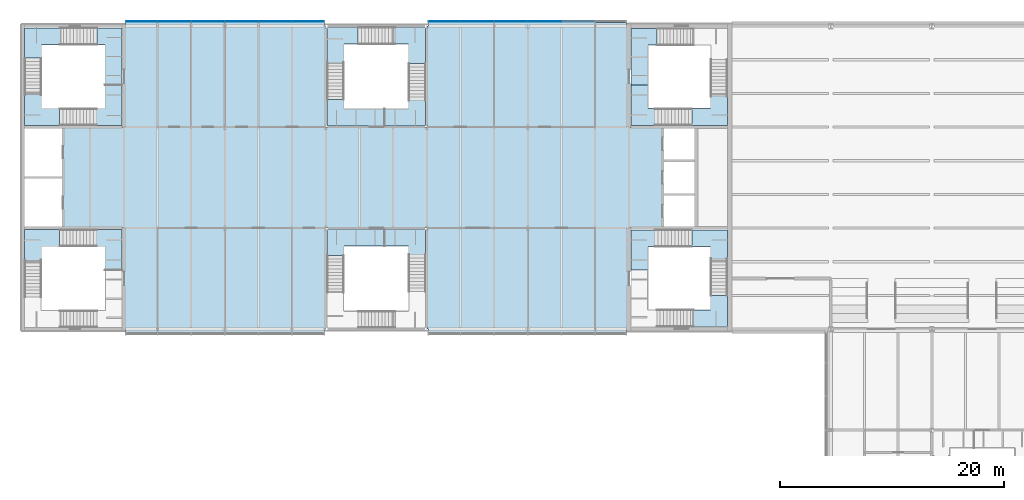
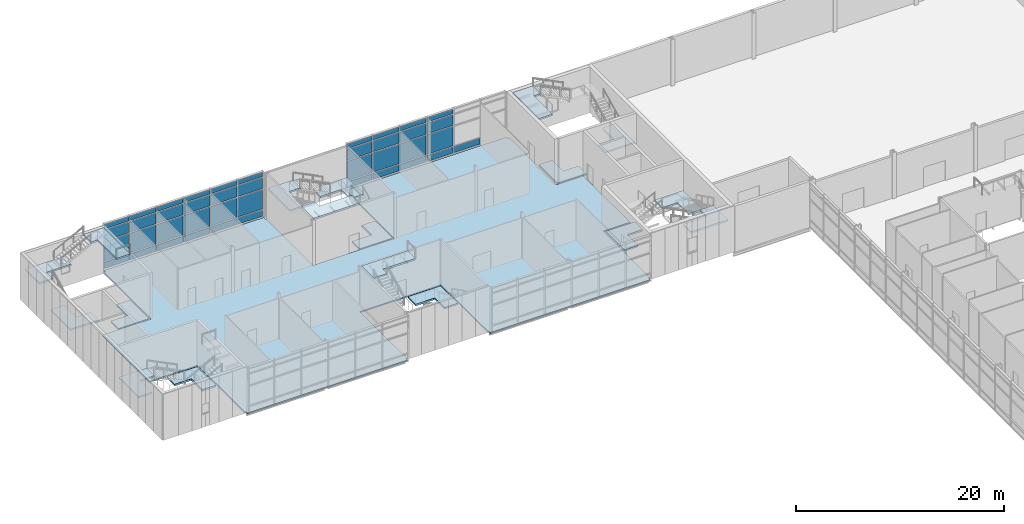
# One storey, part 28 of 52: 41 plates, 19 slabs, 8 elements without a shape of their own.
"""IFC4 building model written with IfcOpenShell, lengths in metres."""

from ifc_helpers import new_model, si_unit, direction, frame, origin, origin_2d, place, context, subcontext, project, spatial, polyline, rectangle, outline, extrude, material, layer, layer_set, type_object, element, aggregate, save


model = new_model("IFC4")

# Units and contexts
model_context = context("Model", 3, precision=1e-05, world=origin(), true_north=direction((0.0, 1.0)))
body_context = subcontext(model_context, "Body", "Model", "MODEL_VIEW")
ifc_project = project(units=[si_unit("LENGTHUNIT", "METRE"), si_unit("AREAUNIT", "SQUARE_METRE"), si_unit("VOLUMEUNIT", "CUBIC_METRE"), si_unit("PLANEANGLEUNIT", "RADIAN"), si_unit("MASSUNIT", "GRAM", prefix="KILO")], contexts=[model_context])

# Site, building, storey
site_placement = place(None, origin())
site = spatial("IfcSite", under=ifc_project, at=site_placement, CompositionType="ELEMENT")
building_placement = place(site_placement, origin())
building = spatial("IfcBuilding", under=site, at=building_placement, Name="Azimuth Sports and Learning Centre", CompositionType="ELEMENT")
storey_placement = place(building_placement, frame((0.0, 0.0, 16.199951171875)))
storey = spatial("IfcBuildingStorey", under=building, at=storey_placement, Name="L03", CompositionType="ELEMENT", Elevation=16.199951171875)

# Slab
ifc_material_1 = material(Name="Concrete C30/37", Category="concrete")
ifc_layer_1 = layer(ifc_material_1, 0.14990234375)
ifc_layer_set_1 = layer_set([ifc_layer_1], Name="Concrete C30/37")
slab_type_1 = type_object("IfcSlabType", Name="Composite floor slab 150", PredefinedType="FLOOR", material=ifc_layer_set_1)
slab_1_placement = place(storey_placement, frame((0.0, 0.0, -0.14990234375)))
element("IfcSlab", 1, at=slab_1_placement, inside=storey, type_object=slab_type_1, Name="Slab West wing L03", PredefinedType="FLOOR", context=body_context, shape_type="SweptSolid", body=[
    extrude(outline(polyline([(9.14990234375, 89.699951171875), (26.89990234375, 89.699951171875), (26.89990234375, 90.0), (27.0, 90.0), (27.0, 99.0), (36.0, 99.0), (36.0, 90.0), (36.10009765625, 90.0), (36.10009765625, 89.699951171875), (53.800048828125, 89.699951171875), (53.800048828125, 90.0), (54.0, 90.0), (54.0, 99.0), (57.0, 99.0), (57.0, 108.0), (54.0, 108.0), (54.0, 117.0), (53.800048828125, 117.0), (53.800048828125, 117.300048828125), (36.10009765625, 117.300048828125), (36.10009765625, 117.0), (36.0, 117.0), (36.0, 108.0), (27.0, 108.0), (27.0, 117.0), (26.89990234375, 117.0), (26.89990234375, 117.300048828125), (9.14990234375, 117.300048828125), (9.14990234375, 117.0), (9.0, 117.0), (9.0, 108.0), (3.60009765625, 108.0), (3.60009765625, 99.0), (9.0, 99.0), (9.0, 90.0), (9.14990234375, 90.0), (9.14990234375, 89.699951171875)])), origin(), (0.0, 0.0, 1.0), 0.14990234375),
])

# Stair, slabs
ifc_material_2 = material(Name="Concrete C32/40", Category="concrete")
stair_type_1 = type_object("IfcStairType", Name="Square-well stair core 5400 storey", PredefinedType="THREE_QUARTER_TURN_STAIR", material=ifc_material_2)
stair_1_placement = place(storey_placement, origin())
stair_1 = element("IfcStair", 2, at=stair_1_placement, inside=storey, type_object=stair_type_1, Name="Stair W1 L03-L04", PredefinedType="THREE_QUARTER_TURN_STAIR")
ifc_material_3 = material(Name="Concrete C32/40", Category="concrete")
ifc_layer_2 = layer(ifc_material_3, 0.199951171875)
ifc_layer_set_2 = layer_set([ifc_layer_2], Name="Concrete C32/40")
slab_type_2 = type_object("IfcSlabType", Name="Concrete stair landing", PredefinedType="LANDING", material=ifc_layer_set_2)
slab_2_placement = place(storey_placement, frame((0.0, 0.0, -0.199951171875)))
slab_2 = element("IfcSlab", 3, at=slab_2_placement, type_object=slab_type_2, Name="Stair W1 L03 landing 1", PredefinedType="LANDING", context=body_context, shape_type="SweptSolid", body=[
    extrude(outline(polyline([(54.2099609375, 98.840087890625), (54.2099609375, 95.25), (55.7099609375, 95.25), (55.7099609375, 97.340087890625), (57.409912109375, 97.340087890625), (57.409912109375, 98.840087890625), (54.2099609375, 98.840087890625)])), origin(), (0.0, 0.0, 1.0), 0.199951171875),
])
slab_3_placement = place(storey_placement, frame((0.0, 0.0, 1.60009765625)))
slab_3 = element("IfcSlab", 4, at=slab_3_placement, type_object=slab_type_2, Name="Stair W1 L03 landing 2", PredefinedType="LANDING", context=body_context, shape_type="SweptSolid", body=[
    extrude(outline(polyline([(61.2900390625, 97.340087890625), (61.2900390625, 95.18994140625), (62.7900390625, 95.18994140625), (62.7900390625, 98.840087890625), (59.609375, 98.840087890625), (59.609375, 97.340087890625), (61.2900390625, 97.340087890625)])), origin(), (0.0, 0.0, 1.0), 0.199951171875),
])
slab_4_placement = place(storey_placement, frame((0.0, 0.0, 3.400146484375)))
slab_4 = element("IfcSlab", 5, at=slab_4_placement, type_object=slab_type_2, Name="Stair W1 L03 landing 3", PredefinedType="LANDING", context=body_context, shape_type="SweptSolid", body=[
    extrude(outline(polyline([(61.2900390625, 91.7099609375), (58.68994140625, 91.7099609375), (58.68994140625, 90.2099609375), (62.7900390625, 90.2099609375), (62.7900390625, 92.99072265625), (61.2900390625, 92.99072265625), (61.2900390625, 91.7099609375)])), origin(), (0.0, 0.0, 1.0), 0.199951171875),
])
aggregate(stair_1, [slab_2, slab_3, slab_4])

stair_2_placement = place(storey_placement, origin())
stair_2 = element("IfcStair", 6, at=stair_2_placement, inside=storey, type_object=stair_type_1, Name="Stair W2 L03-L04", PredefinedType="THREE_QUARTER_TURN_STAIR")
slab_5_placement = place(storey_placement, frame((0.0, 0.0, -0.199951171875)))
slab_5 = element("IfcSlab", 7, at=slab_5_placement, type_object=slab_type_2, Name="Stair W2 L03 landing 1", PredefinedType="LANDING", context=body_context, shape_type="SweptSolid", body=[
    extrude(outline(polyline([(57.409912109375, 109.659912109375), (55.7099609375, 109.659912109375), (55.7099609375, 111.75), (54.2099609375, 111.75), (54.2099609375, 108.159912109375), (57.409912109375, 108.159912109375), (57.409912109375, 109.659912109375)])), origin(), (0.0, 0.0, 1.0), 0.199951171875),
])
slab_6_placement = place(storey_placement, frame((0.0, 0.0, 1.60009765625)))
slab_6 = element("IfcSlab", 8, at=slab_6_placement, type_object=slab_type_2, Name="Stair W2 L03 landing 2", PredefinedType="LANDING", context=body_context, shape_type="SweptSolid", body=[
    extrude(outline(polyline([(61.2900390625, 109.659912109375), (59.609375, 109.659912109375), (59.609375, 108.159912109375), (62.7900390625, 108.159912109375), (62.7900390625, 111.81005859375), (61.2900390625, 111.81005859375), (61.2900390625, 109.659912109375)])), origin(), (0.0, 0.0, 1.0), 0.199951171875),
])
slab_7_placement = place(storey_placement, frame((0.0, 0.0, 5.199951171875)))
slab_7 = element("IfcSlab", 9, at=slab_7_placement, type_object=slab_type_2, Name="Stair W2 L03 landing 4", PredefinedType="LANDING", context=body_context, shape_type="SweptSolid", body=[
    extrude(outline(polyline([(55.7099609375, 115.2900390625), (56.49072265625, 115.2900390625), (56.49072265625, 116.7900390625), (54.2099609375, 116.7900390625), (54.2099609375, 111.75), (55.7099609375, 111.75), (55.7099609375, 115.2900390625)])), origin(), (0.0, 0.0, 1.0), 0.2001953125),
])
aggregate(stair_2, [slab_5, slab_6, slab_7])

ifc_material_4 = material(Name="Concrete C32/40", Category="concrete")
stair_type_2 = type_object("IfcStairType", Name="Square-well stair end core 5400 storey", PredefinedType="THREE_QUARTER_TURN_STAIR", material=ifc_material_4)
stair_3_placement = place(storey_placement, origin())
stair_3 = element("IfcStair", 10, at=stair_3_placement, inside=storey, type_object=stair_type_2, Name="Stair WW1 L03-L04", PredefinedType="THREE_QUARTER_TURN_STAIR")
slab_8_placement = place(storey_placement, frame((0.0, 0.0, -0.199951171875)))
slab_8 = element("IfcSlab", 11, at=slab_8_placement, type_object=slab_type_2, Name="Stair WW1 L03 landing 1", PredefinedType="LANDING", context=body_context, shape_type="SweptSolid", body=[
    extrude(outline(polyline([(5.489990234375, 97.364990234375), (7.340087890625, 97.364990234375), (7.340087890625, 95.25), (8.840087890625, 95.25), (8.840087890625, 98.864990234375), (5.489990234375, 98.864990234375), (5.489990234375, 97.364990234375)])), origin(), (0.0, 0.0, 1.0), 0.199951171875),
])
slab_9_placement = place(storey_placement, frame((0.0, 0.0, 1.60009765625)))
slab_9 = element("IfcSlab", 12, at=slab_9_placement, type_object=slab_type_2, Name="Stair WW1 L03 landing 2", PredefinedType="LANDING", context=body_context, shape_type="SweptSolid", body=[
    extrude(outline(polyline([(1.659912109375, 97.364990234375), (3.290771484375, 97.364990234375), (3.290771484375, 98.864990234375), (0.159912109375, 98.864990234375), (0.159912109375, 95.06494140625), (1.659912109375, 95.06494140625), (1.659912109375, 97.364990234375)])), origin(), (0.0, 0.0, 1.0), 0.199951171875),
])
aggregate(stair_3, [slab_8, slab_9])

stair_4_placement = place(storey_placement, origin())
stair_4 = element("IfcStair", 13, at=stair_4_placement, inside=storey, type_object=stair_type_2, Name="Stair WW2 L03-L04", PredefinedType="THREE_QUARTER_TURN_STAIR")
slab_10_placement = place(storey_placement, frame((0.0, 0.0, -0.199951171875)))
slab_10 = element("IfcSlab", 14, at=slab_10_placement, type_object=slab_type_2, Name="Stair WW2 L03 landing 1", PredefinedType="LANDING", context=body_context, shape_type="SweptSolid", body=[
    extrude(outline(polyline([(8.840087890625, 108.135009765625), (8.840087890625, 111.75), (7.340087890625, 111.75), (7.340087890625, 109.635009765625), (5.489990234375, 109.635009765625), (5.489990234375, 108.135009765625), (8.840087890625, 108.135009765625)])), origin(), (0.0, 0.0, 1.0), 0.199951171875),
])
slab_11_placement = place(storey_placement, frame((0.0, 0.0, 1.60009765625)))
slab_11 = element("IfcSlab", 15, at=slab_11_placement, type_object=slab_type_2, Name="Stair WW2 L03 landing 2", PredefinedType="LANDING", context=body_context, shape_type="SweptSolid", body=[
    extrude(outline(polyline([(1.659912109375, 109.635009765625), (1.659912109375, 111.93505859375), (0.159912109375, 111.93505859375), (0.159912109375, 108.135009765625), (3.290771484375, 108.135009765625), (3.290771484375, 109.635009765625), (1.659912109375, 109.635009765625)])), origin(), (0.0, 0.0, 1.0), 0.199951171875),
])
slab_12_placement = place(storey_placement, frame((0.0, 0.0, 3.400146484375)))
slab_12 = element("IfcSlab", 16, at=slab_12_placement, type_object=slab_type_2, Name="Stair WW2 L03 landing 3", PredefinedType="LANDING", context=body_context, shape_type="SweptSolid", body=[
    extrude(outline(polyline([(1.659912109375, 115.340087890625), (4.409912109375, 115.340087890625), (4.409912109375, 116.840087890625), (0.159912109375, 116.840087890625), (0.159912109375, 114.13427734375), (1.659912109375, 114.13427734375), (1.659912109375, 115.340087890625)])), origin(), (0.0, 0.0, 1.0), 0.199951171875),
])
slab_13_placement = place(storey_placement, frame((0.0, 0.0, 5.199951171875)))
slab_13 = element("IfcSlab", 17, at=slab_13_placement, type_object=slab_type_2, Name="Stair WW2 L03 landing 4", PredefinedType="LANDING", context=body_context, shape_type="SweptSolid", body=[
    extrude(outline(polyline([(7.340087890625, 115.340087890625), (7.340087890625, 111.75), (8.840087890625, 111.75), (8.840087890625, 116.840087890625), (6.609375, 116.840087890625), (6.609375, 115.340087890625), (7.340087890625, 115.340087890625)])), origin(), (0.0, 0.0, 1.0), 0.2001953125),
])
aggregate(stair_4, [slab_10, slab_11, slab_12, slab_13])

ifc_material_5 = material(Name="Concrete C32/40", Category="concrete")
stair_type_3 = type_object("IfcStairType", Name="Square-well stair mid-wing cell 5400 storey", PredefinedType="THREE_QUARTER_TURN_STAIR", material=ifc_material_5)
stair_5_placement = place(storey_placement, origin())
stair_5 = element("IfcStair", 18, at=stair_5_placement, inside=storey, type_object=stair_type_3, Name="Stair WM1 L03-L04", PredefinedType="THREE_QUARTER_TURN_STAIR")
slab_14_placement = place(storey_placement, frame((0.0, 0.0, -0.199951171875)))
slab_14 = element("IfcSlab", 19, at=slab_14_placement, type_object=slab_type_2, Name="Stair WM1 L03 landing 1", PredefinedType="LANDING", context=body_context, shape_type="SweptSolid", body=[
    extrude(outline(polyline([(35.889892578125, 98.889892578125), (32.25, 98.889892578125), (32.25, 97.389892578125), (34.389892578125, 97.389892578125), (34.389892578125, 95.5400390625), (35.889892578125, 95.5400390625), (35.889892578125, 98.889892578125)])), origin(), (0.0, 0.0, 1.0), 0.199951171875),
])
slab_15_placement = place(storey_placement, frame((0.0, 0.0, 5.199951171875)))
slab_15 = element("IfcSlab", 20, at=slab_15_placement, type_object=slab_type_2, Name="Stair WM1 L03 landing 4", PredefinedType="LANDING", context=body_context, shape_type="SweptSolid", body=[
    extrude(outline(polyline([(28.610107421875, 97.389892578125), (32.25, 97.389892578125), (32.25, 98.889892578125), (27.110107421875, 98.889892578125), (27.110107421875, 96.559326171875), (28.610107421875, 96.559326171875), (28.610107421875, 97.389892578125)])), origin(), (0.0, 0.0, 1.0), 0.2001953125),
])
aggregate(stair_5, [slab_14, slab_15])

stair_6_placement = place(storey_placement, origin())
stair_6 = element("IfcStair", 21, at=stair_6_placement, inside=storey, type_object=stair_type_3, Name="Stair WM2 L03-L04", PredefinedType="THREE_QUARTER_TURN_STAIR")
slab_16_placement = place(storey_placement, frame((0.0, 0.0, -0.199951171875)))
slab_16 = element("IfcSlab", 22, at=slab_16_placement, type_object=slab_type_2, Name="Stair WM2 L03 landing 1", PredefinedType="LANDING", context=body_context, shape_type="SweptSolid", body=[
    extrude(outline(polyline([(34.389892578125, 111.4599609375), (34.389892578125, 109.610107421875), (32.25, 109.610107421875), (32.25, 108.110107421875), (35.889892578125, 108.110107421875), (35.889892578125, 111.4599609375), (34.389892578125, 111.4599609375)])), origin(), (0.0, 0.0, 1.0), 0.199951171875),
])
slab_17_placement = place(storey_placement, frame((0.0, 0.0, 1.60009765625)))
slab_17 = element("IfcSlab", 23, at=slab_17_placement, type_object=slab_type_2, Name="Stair WM2 L03 landing 2", PredefinedType="LANDING", context=body_context, shape_type="SweptSolid", body=[
    extrude(outline(polyline([(34.389892578125, 115.389892578125), (34.389892578125, 113.6591796875), (35.889892578125, 113.6591796875), (35.889892578125, 116.889892578125), (32.090087890625, 116.889892578125), (32.090087890625, 115.389892578125), (34.389892578125, 115.389892578125)])), origin(), (0.0, 0.0, 1.0), 0.199951171875),
])
slab_18_placement = place(storey_placement, frame((0.0, 0.0, 3.400146484375)))
slab_18 = element("IfcSlab", 24, at=slab_18_placement, type_object=slab_type_2, Name="Stair WM2 L03 landing 3", PredefinedType="LANDING", context=body_context, shape_type="SweptSolid", body=[
    extrude(outline(polyline([(28.610107421875, 115.389892578125), (29.890625, 115.389892578125), (29.890625, 116.889892578125), (27.110107421875, 116.889892578125), (27.110107421875, 112.639892578125), (28.610107421875, 112.639892578125), (28.610107421875, 115.389892578125)])), origin(), (0.0, 0.0, 1.0), 0.199951171875),
])
slab_19_placement = place(storey_placement, frame((0.0, 0.0, 5.199951171875)))
slab_19 = element("IfcSlab", 25, at=slab_19_placement, type_object=slab_type_2, Name="Stair WM2 L03 landing 4", PredefinedType="LANDING", context=body_context, shape_type="SweptSolid", body=[
    extrude(outline(polyline([(28.610107421875, 109.610107421875), (28.610107421875, 110.440673828125), (27.110107421875, 110.440673828125), (27.110107421875, 108.110107421875), (32.25, 108.110107421875), (32.25, 109.610107421875), (28.610107421875, 109.610107421875)])), origin(), (0.0, 0.0, 1.0), 0.2001953125),
])
aggregate(stair_6, [slab_16, slab_17, slab_18, slab_19])

# Curtain wall, plates
ifc_material_6 = material(Name="Aluminium and glass", Category="aluminium")
curtain_wall_type = type_object("IfcCurtainWallType", Name="Curtain wall podium wing 240", PredefinedType="NOTDEFINED", material=ifc_material_6)
curtain_wall_1_placement = place(storey_placement, origin())
curtain_wall_1 = element("IfcCurtainWall", 26, at=curtain_wall_1_placement, inside=storey, type_object=curtain_wall_type, Name="Curtain wall CW03-013", PredefinedType="NOTDEFINED")
ifc_material_7 = material(Name="Insulated aluminium panel", Category="aluminium")
ifc_layer_3 = layer(ifc_material_7, 0.06005859375)
ifc_layer_set_3 = layer_set([ifc_layer_3], Name="Insulated aluminium panel")
plate_type_1 = type_object("IfcPlateType", Name="Spandrel panel 60 mm", PredefinedType="CURTAIN_PANEL", material=ifc_layer_set_3)
plate_1_placement = place(storey_placement, frame((49.5, 117.419921875, 0.1201171875), z_axis=(0.0, 0.0, 1.0), x_axis=(-1.0, 0.0, 0.0)))
plate_1 = element("IfcPlate", 27, at=plate_1_placement, type_object=plate_type_1, Name="CW03-013 panel 2.1", PredefinedType="CURTAIN_PANEL", context=body_context, shape_type="SweptSolid", body=[
    extrude(rectangle(XDim=2.919921875, YDim=0.06005859375, at=origin_2d()), origin(), (0.0, 0.0, 1.0), 0.719970703125),
])
plate_2_placement = place(storey_placement, frame((46.5, 117.419921875, 0.1201171875), z_axis=(0.0, 0.0, 1.0), x_axis=(-1.0, 0.0, 0.0)))
plate_2 = element("IfcPlate", 28, at=plate_2_placement, type_object=plate_type_1, Name="CW03-013 panel 3.1", PredefinedType="CURTAIN_PANEL", context=body_context, shape_type="SweptSolid", body=[
    extrude(rectangle(XDim=2.919921875, YDim=0.06005859375, at=origin_2d()), origin(), (0.0, 0.0, 1.0), 0.719970703125),
])
plate_3_placement = place(storey_placement, frame((46.5, 117.419921875, 4.760009765625), z_axis=(0.0, 0.0, 1.0), x_axis=(-1.0, 0.0, 0.0)))
plate_3 = element("IfcPlate", 29, at=plate_3_placement, type_object=plate_type_1, Name="CW03-013 panel 3.4", PredefinedType="CURTAIN_PANEL", context=body_context, shape_type="SweptSolid", body=[
    extrude(rectangle(XDim=2.919921875, YDim=0.06005859375, at=origin_2d()), origin(), (0.0, 0.0, 1.0), 0.52001953125),
])
plate_4_placement = place(storey_placement, frame((43.5, 117.419921875, 0.1201171875), z_axis=(0.0, 0.0, 1.0), x_axis=(-1.0, 0.0, 0.0)))
plate_4 = element("IfcPlate", 30, at=plate_4_placement, type_object=plate_type_1, Name="CW03-013 panel 4.1", PredefinedType="CURTAIN_PANEL", context=body_context, shape_type="SweptSolid", body=[
    extrude(rectangle(XDim=2.919921875, YDim=0.06005859375, at=origin_2d()), origin(), (0.0, 0.0, 1.0), 0.719970703125),
])
plate_5_placement = place(storey_placement, frame((43.5, 117.419921875, 4.760009765625), z_axis=(0.0, 0.0, 1.0), x_axis=(-1.0, 0.0, 0.0)))
plate_5 = element("IfcPlate", 31, at=plate_5_placement, type_object=plate_type_1, Name="CW03-013 panel 4.4", PredefinedType="CURTAIN_PANEL", context=body_context, shape_type="SweptSolid", body=[
    extrude(rectangle(XDim=2.919921875, YDim=0.06005859375, at=origin_2d()), origin(), (0.0, 0.0, 1.0), 0.52001953125),
])
plate_6_placement = place(storey_placement, frame((40.5, 117.419921875, 0.1201171875), z_axis=(0.0, 0.0, 1.0), x_axis=(-1.0, 0.0, 0.0)))
plate_6 = element("IfcPlate", 32, at=plate_6_placement, type_object=plate_type_1, Name="CW03-013 panel 5.1", PredefinedType="CURTAIN_PANEL", context=body_context, shape_type="SweptSolid", body=[
    extrude(rectangle(XDim=2.919921875, YDim=0.06005859375, at=origin_2d()), origin(), (0.0, 0.0, 1.0), 0.719970703125),
])
plate_7_placement = place(storey_placement, frame((40.5, 117.419921875, 4.760009765625), z_axis=(0.0, 0.0, 1.0), x_axis=(-1.0, 0.0, 0.0)))
plate_7 = element("IfcPlate", 33, at=plate_7_placement, type_object=plate_type_1, Name="CW03-013 panel 5.4", PredefinedType="CURTAIN_PANEL", context=body_context, shape_type="SweptSolid", body=[
    extrude(rectangle(XDim=2.919921875, YDim=0.06005859375, at=origin_2d()), origin(), (0.0, 0.0, 1.0), 0.52001953125),
])
plate_8_placement = place(storey_placement, frame((37.570068359375, 117.419921875, 0.1201171875), z_axis=(0.0, 0.0, 1.0), x_axis=(-1.0, 0.0, 0.0)))
plate_8 = element("IfcPlate", 34, at=plate_8_placement, type_object=plate_type_1, Name="CW03-013 panel 6.1", PredefinedType="CURTAIN_PANEL", context=body_context, shape_type="SweptSolid", body=[
    extrude(rectangle(XDim=2.780029296875, YDim=0.06005859375, at=origin_2d()), origin(), (0.0, 0.0, 1.0), 0.719970703125),
])
plate_9_placement = place(storey_placement, frame((37.570068359375, 117.419921875, 4.760009765625), z_axis=(0.0, 0.0, 1.0), x_axis=(-1.0, 0.0, 0.0)))
plate_9 = element("IfcPlate", 35, at=plate_9_placement, type_object=plate_type_1, Name="CW03-013 panel 6.4", PredefinedType="CURTAIN_PANEL", context=body_context, shape_type="SweptSolid", body=[
    extrude(rectangle(XDim=2.780029296875, YDim=0.06005859375, at=origin_2d()), origin(), (0.0, 0.0, 1.0), 0.52001953125),
])

curtain_wall_2_placement = place(storey_placement, origin())
curtain_wall_2 = element("IfcCurtainWall", 36, at=curtain_wall_2_placement, inside=storey, type_object=curtain_wall_type, Name="Curtain wall CW03-014", PredefinedType="NOTDEFINED")
plate_10_placement = place(storey_placement, frame((25.429931640625, 117.419921875, 0.1201171875), z_axis=(0.0, 0.0, 1.0), x_axis=(-1.0, 0.0, 0.0)))
plate_10 = element("IfcPlate", 37, at=plate_10_placement, type_object=plate_type_1, Name="CW03-014 panel 1.1", PredefinedType="CURTAIN_PANEL", context=body_context, shape_type="SweptSolid", body=[
    extrude(rectangle(XDim=2.780029296875, YDim=0.06005859375, at=origin_2d()), origin(), (0.0, 0.0, 1.0), 0.719970703125),
])
plate_11_placement = place(storey_placement, frame((25.429931640625, 117.419921875, 4.760009765625), z_axis=(0.0, 0.0, 1.0), x_axis=(-1.0, 0.0, 0.0)))
plate_11 = element("IfcPlate", 38, at=plate_11_placement, type_object=plate_type_1, Name="CW03-014 panel 1.4", PredefinedType="CURTAIN_PANEL", context=body_context, shape_type="SweptSolid", body=[
    extrude(rectangle(XDim=2.780029296875, YDim=0.06005859375, at=origin_2d()), origin(), (0.0, 0.0, 1.0), 0.52001953125),
])
plate_12_placement = place(storey_placement, frame((22.5, 117.419921875, 0.1201171875), z_axis=(0.0, 0.0, 1.0), x_axis=(-1.0, 0.0, 0.0)))
plate_12 = element("IfcPlate", 39, at=plate_12_placement, type_object=plate_type_1, Name="CW03-014 panel 2.1", PredefinedType="CURTAIN_PANEL", context=body_context, shape_type="SweptSolid", body=[
    extrude(rectangle(XDim=2.919921875, YDim=0.06005859375, at=origin_2d()), origin(), (0.0, 0.0, 1.0), 0.719970703125),
])
plate_13_placement = place(storey_placement, frame((22.5, 117.419921875, 4.760009765625), z_axis=(0.0, 0.0, 1.0), x_axis=(-1.0, 0.0, 0.0)))
plate_13 = element("IfcPlate", 40, at=plate_13_placement, type_object=plate_type_1, Name="CW03-014 panel 2.4", PredefinedType="CURTAIN_PANEL", context=body_context, shape_type="SweptSolid", body=[
    extrude(rectangle(XDim=2.919921875, YDim=0.06005859375, at=origin_2d()), origin(), (0.0, 0.0, 1.0), 0.52001953125),
])
plate_14_placement = place(storey_placement, frame((19.5, 117.419921875, 0.1201171875), z_axis=(0.0, 0.0, 1.0), x_axis=(-1.0, 0.0, 0.0)))
plate_14 = element("IfcPlate", 41, at=plate_14_placement, type_object=plate_type_1, Name="CW03-014 panel 3.1", PredefinedType="CURTAIN_PANEL", context=body_context, shape_type="SweptSolid", body=[
    extrude(rectangle(XDim=2.919921875, YDim=0.06005859375, at=origin_2d()), origin(), (0.0, 0.0, 1.0), 0.719970703125),
])
plate_15_placement = place(storey_placement, frame((19.5, 117.419921875, 4.760009765625), z_axis=(0.0, 0.0, 1.0), x_axis=(-1.0, 0.0, 0.0)))
plate_15 = element("IfcPlate", 42, at=plate_15_placement, type_object=plate_type_1, Name="CW03-014 panel 3.4", PredefinedType="CURTAIN_PANEL", context=body_context, shape_type="SweptSolid", body=[
    extrude(rectangle(XDim=2.919921875, YDim=0.06005859375, at=origin_2d()), origin(), (0.0, 0.0, 1.0), 0.52001953125),
])
plate_16_placement = place(storey_placement, frame((16.5, 117.419921875, 0.1201171875), z_axis=(0.0, 0.0, 1.0), x_axis=(-1.0, 0.0, 0.0)))
plate_16 = element("IfcPlate", 43, at=plate_16_placement, type_object=plate_type_1, Name="CW03-014 panel 4.1", PredefinedType="CURTAIN_PANEL", context=body_context, shape_type="SweptSolid", body=[
    extrude(rectangle(XDim=2.919921875, YDim=0.06005859375, at=origin_2d()), origin(), (0.0, 0.0, 1.0), 0.719970703125),
])
plate_17_placement = place(storey_placement, frame((16.5, 117.419921875, 4.760009765625), z_axis=(0.0, 0.0, 1.0), x_axis=(-1.0, 0.0, 0.0)))
plate_17 = element("IfcPlate", 44, at=plate_17_placement, type_object=plate_type_1, Name="CW03-014 panel 4.4", PredefinedType="CURTAIN_PANEL", context=body_context, shape_type="SweptSolid", body=[
    extrude(rectangle(XDim=2.919921875, YDim=0.06005859375, at=origin_2d()), origin(), (0.0, 0.0, 1.0), 0.52001953125),
])
plate_18_placement = place(storey_placement, frame((13.5, 117.419921875, 0.1201171875), z_axis=(0.0, 0.0, 1.0), x_axis=(-1.0, 0.0, 0.0)))
plate_18 = element("IfcPlate", 45, at=plate_18_placement, type_object=plate_type_1, Name="CW03-014 panel 5.1", PredefinedType="CURTAIN_PANEL", context=body_context, shape_type="SweptSolid", body=[
    extrude(rectangle(XDim=2.919921875, YDim=0.06005859375, at=origin_2d()), origin(), (0.0, 0.0, 1.0), 0.719970703125),
])
plate_19_placement = place(storey_placement, frame((13.5, 117.419921875, 4.760009765625), z_axis=(0.0, 0.0, 1.0), x_axis=(-1.0, 0.0, 0.0)))
plate_19 = element("IfcPlate", 46, at=plate_19_placement, type_object=plate_type_1, Name="CW03-014 panel 5.4", PredefinedType="CURTAIN_PANEL", context=body_context, shape_type="SweptSolid", body=[
    extrude(rectangle(XDim=2.919921875, YDim=0.06005859375, at=origin_2d()), origin(), (0.0, 0.0, 1.0), 0.52001953125),
])
plate_20_placement = place(storey_placement, frame((10.594970703125, 117.419921875, 0.1201171875), z_axis=(0.0, 0.0, 1.0), x_axis=(-1.0, 0.0, 0.0)))
plate_20 = element("IfcPlate", 47, at=plate_20_placement, type_object=plate_type_1, Name="CW03-014 panel 6.1", PredefinedType="CURTAIN_PANEL", context=body_context, shape_type="SweptSolid", body=[
    extrude(rectangle(XDim=2.72998046875, YDim=0.06005859375, at=origin_2d()), origin(), (0.0, 0.0, 1.0), 0.719970703125),
])
plate_21_placement = place(storey_placement, frame((10.594970703125, 117.419921875, 4.760009765625), z_axis=(0.0, 0.0, 1.0), x_axis=(-1.0, 0.0, 0.0)))
plate_21 = element("IfcPlate", 48, at=plate_21_placement, type_object=plate_type_1, Name="CW03-014 panel 6.4", PredefinedType="CURTAIN_PANEL", context=body_context, shape_type="SweptSolid", body=[
    extrude(rectangle(XDim=2.72998046875, YDim=0.06005859375, at=origin_2d()), origin(), (0.0, 0.0, 1.0), 0.52001953125),
])

# Plate
ifc_material_8 = material(Name="Glass", Category="glass")
ifc_layer_4 = layer(ifc_material_8, 0.0439453125)
ifc_layer_set_4 = layer_set([ifc_layer_4], Name="Glass")
plate_type_2 = type_object("IfcPlateType", Name="Vision glass 44 mm", PredefinedType="CURTAIN_PANEL", material=ifc_layer_set_4)
plate_22_placement = place(storey_placement, frame((46.5, 117.419921875, 0.9599609375), z_axis=(0.0, 0.0, 1.0), x_axis=(-1.0, 0.0, 0.0)))
plate_22 = element("IfcPlate", 49, at=plate_22_placement, type_object=plate_type_2, Name="CW03-013 panel 3.2", PredefinedType="CURTAIN_PANEL", context=body_context, shape_type="SweptSolid", body=[
    extrude(rectangle(XDim=2.919921875, YDim=0.0439453125, at=origin_2d()), origin(), (0.0, 0.0, 1.0), 2.280029296875),
])

plate_23_placement = place(storey_placement, frame((46.5, 117.419921875, 3.35986328125), z_axis=(0.0, 0.0, 1.0), x_axis=(-1.0, 0.0, 0.0)))
plate_23 = element("IfcPlate", 50, at=plate_23_placement, type_object=plate_type_2, Name="CW03-013 panel 3.3", PredefinedType="CURTAIN_PANEL", context=body_context, shape_type="SweptSolid", body=[
    extrude(rectangle(XDim=2.919921875, YDim=0.0439453125, at=origin_2d()), origin(), (0.0, 0.0, 1.0), 1.280029296875),
])

plate_24_placement = place(storey_placement, frame((43.5, 117.419921875, 0.9599609375), z_axis=(0.0, 0.0, 1.0), x_axis=(-1.0, 0.0, 0.0)))
plate_24 = element("IfcPlate", 51, at=plate_24_placement, type_object=plate_type_2, Name="CW03-013 panel 4.2", PredefinedType="CURTAIN_PANEL", context=body_context, shape_type="SweptSolid", body=[
    extrude(rectangle(XDim=2.919921875, YDim=0.0439453125, at=origin_2d()), origin(), (0.0, 0.0, 1.0), 2.280029296875),
])

plate_25_placement = place(storey_placement, frame((43.5, 117.419921875, 3.35986328125), z_axis=(0.0, 0.0, 1.0), x_axis=(-1.0, 0.0, 0.0)))
plate_25 = element("IfcPlate", 52, at=plate_25_placement, type_object=plate_type_2, Name="CW03-013 panel 4.3", PredefinedType="CURTAIN_PANEL", context=body_context, shape_type="SweptSolid", body=[
    extrude(rectangle(XDim=2.919921875, YDim=0.0439453125, at=origin_2d()), origin(), (0.0, 0.0, 1.0), 1.280029296875),
])

plate_26_placement = place(storey_placement, frame((40.5, 117.419921875, 0.9599609375), z_axis=(0.0, 0.0, 1.0), x_axis=(-1.0, 0.0, 0.0)))
plate_26 = element("IfcPlate", 53, at=plate_26_placement, type_object=plate_type_2, Name="CW03-013 panel 5.2", PredefinedType="CURTAIN_PANEL", context=body_context, shape_type="SweptSolid", body=[
    extrude(rectangle(XDim=2.919921875, YDim=0.0439453125, at=origin_2d()), origin(), (0.0, 0.0, 1.0), 2.280029296875),
])

plate_27_placement = place(storey_placement, frame((40.5, 117.419921875, 3.35986328125), z_axis=(0.0, 0.0, 1.0), x_axis=(-1.0, 0.0, 0.0)))
plate_27 = element("IfcPlate", 54, at=plate_27_placement, type_object=plate_type_2, Name="CW03-013 panel 5.3", PredefinedType="CURTAIN_PANEL", context=body_context, shape_type="SweptSolid", body=[
    extrude(rectangle(XDim=2.919921875, YDim=0.0439453125, at=origin_2d()), origin(), (0.0, 0.0, 1.0), 1.280029296875),
])

plate_28_placement = place(storey_placement, frame((37.570068359375, 117.419921875, 0.9599609375), z_axis=(0.0, 0.0, 1.0), x_axis=(-1.0, 0.0, 0.0)))
plate_28 = element("IfcPlate", 55, at=plate_28_placement, type_object=plate_type_2, Name="CW03-013 panel 6.2", PredefinedType="CURTAIN_PANEL", context=body_context, shape_type="SweptSolid", body=[
    extrude(rectangle(XDim=2.780029296875, YDim=0.0439453125, at=origin_2d()), origin(), (0.0, 0.0, 1.0), 2.280029296875),
])

plate_29_placement = place(storey_placement, frame((37.570068359375, 117.419921875, 3.35986328125), z_axis=(0.0, 0.0, 1.0), x_axis=(-1.0, 0.0, 0.0)))
plate_29 = element("IfcPlate", 56, at=plate_29_placement, type_object=plate_type_2, Name="CW03-013 panel 6.3", PredefinedType="CURTAIN_PANEL", context=body_context, shape_type="SweptSolid", body=[
    extrude(rectangle(XDim=2.780029296875, YDim=0.0439453125, at=origin_2d()), origin(), (0.0, 0.0, 1.0), 1.280029296875),
])

aggregate(curtain_wall_1, [plate_1, plate_2, plate_22, plate_23, plate_3, plate_4, plate_24, plate_25, plate_5, plate_6, plate_26, plate_27, plate_7, plate_8, plate_28, plate_29, plate_9])

plate_30_placement = place(storey_placement, frame((25.429931640625, 117.419921875, 0.9599609375), z_axis=(0.0, 0.0, 1.0), x_axis=(-1.0, 0.0, 0.0)))
plate_30 = element("IfcPlate", 57, at=plate_30_placement, type_object=plate_type_2, Name="CW03-014 panel 1.2", PredefinedType="CURTAIN_PANEL", context=body_context, shape_type="SweptSolid", body=[
    extrude(rectangle(XDim=2.780029296875, YDim=0.0439453125, at=origin_2d()), origin(), (0.0, 0.0, 1.0), 2.280029296875),
])

plate_31_placement = place(storey_placement, frame((25.429931640625, 117.419921875, 3.35986328125), z_axis=(0.0, 0.0, 1.0), x_axis=(-1.0, 0.0, 0.0)))
plate_31 = element("IfcPlate", 58, at=plate_31_placement, type_object=plate_type_2, Name="CW03-014 panel 1.3", PredefinedType="CURTAIN_PANEL", context=body_context, shape_type="SweptSolid", body=[
    extrude(rectangle(XDim=2.780029296875, YDim=0.0439453125, at=origin_2d()), origin(), (0.0, 0.0, 1.0), 1.280029296875),
])

plate_32_placement = place(storey_placement, frame((22.5, 117.419921875, 0.9599609375), z_axis=(0.0, 0.0, 1.0), x_axis=(-1.0, 0.0, 0.0)))
plate_32 = element("IfcPlate", 59, at=plate_32_placement, type_object=plate_type_2, Name="CW03-014 panel 2.2", PredefinedType="CURTAIN_PANEL", context=body_context, shape_type="SweptSolid", body=[
    extrude(rectangle(XDim=2.919921875, YDim=0.0439453125, at=origin_2d()), origin(), (0.0, 0.0, 1.0), 2.280029296875),
])

plate_33_placement = place(storey_placement, frame((22.5, 117.419921875, 3.35986328125), z_axis=(0.0, 0.0, 1.0), x_axis=(-1.0, 0.0, 0.0)))
plate_33 = element("IfcPlate", 60, at=plate_33_placement, type_object=plate_type_2, Name="CW03-014 panel 2.3", PredefinedType="CURTAIN_PANEL", context=body_context, shape_type="SweptSolid", body=[
    extrude(rectangle(XDim=2.919921875, YDim=0.0439453125, at=origin_2d()), origin(), (0.0, 0.0, 1.0), 1.280029296875),
])

plate_34_placement = place(storey_placement, frame((19.5, 117.419921875, 0.9599609375), z_axis=(0.0, 0.0, 1.0), x_axis=(-1.0, 0.0, 0.0)))
plate_34 = element("IfcPlate", 61, at=plate_34_placement, type_object=plate_type_2, Name="CW03-014 panel 3.2", PredefinedType="CURTAIN_PANEL", context=body_context, shape_type="SweptSolid", body=[
    extrude(rectangle(XDim=2.919921875, YDim=0.0439453125, at=origin_2d()), origin(), (0.0, 0.0, 1.0), 2.280029296875),
])

plate_35_placement = place(storey_placement, frame((19.5, 117.419921875, 3.35986328125), z_axis=(0.0, 0.0, 1.0), x_axis=(-1.0, 0.0, 0.0)))
plate_35 = element("IfcPlate", 62, at=plate_35_placement, type_object=plate_type_2, Name="CW03-014 panel 3.3", PredefinedType="CURTAIN_PANEL", context=body_context, shape_type="SweptSolid", body=[
    extrude(rectangle(XDim=2.919921875, YDim=0.0439453125, at=origin_2d()), origin(), (0.0, 0.0, 1.0), 1.280029296875),
])

plate_36_placement = place(storey_placement, frame((16.5, 117.419921875, 0.9599609375), z_axis=(0.0, 0.0, 1.0), x_axis=(-1.0, 0.0, 0.0)))
plate_36 = element("IfcPlate", 63, at=plate_36_placement, type_object=plate_type_2, Name="CW03-014 panel 4.2", PredefinedType="CURTAIN_PANEL", context=body_context, shape_type="SweptSolid", body=[
    extrude(rectangle(XDim=2.919921875, YDim=0.0439453125, at=origin_2d()), origin(), (0.0, 0.0, 1.0), 2.280029296875),
])

plate_37_placement = place(storey_placement, frame((16.5, 117.419921875, 3.35986328125), z_axis=(0.0, 0.0, 1.0), x_axis=(-1.0, 0.0, 0.0)))
plate_37 = element("IfcPlate", 64, at=plate_37_placement, type_object=plate_type_2, Name="CW03-014 panel 4.3", PredefinedType="CURTAIN_PANEL", context=body_context, shape_type="SweptSolid", body=[
    extrude(rectangle(XDim=2.919921875, YDim=0.0439453125, at=origin_2d()), origin(), (0.0, 0.0, 1.0), 1.280029296875),
])

plate_38_placement = place(storey_placement, frame((13.5, 117.419921875, 0.9599609375), z_axis=(0.0, 0.0, 1.0), x_axis=(-1.0, 0.0, 0.0)))
plate_38 = element("IfcPlate", 65, at=plate_38_placement, type_object=plate_type_2, Name="CW03-014 panel 5.2", PredefinedType="CURTAIN_PANEL", context=body_context, shape_type="SweptSolid", body=[
    extrude(rectangle(XDim=2.919921875, YDim=0.0439453125, at=origin_2d()), origin(), (0.0, 0.0, 1.0), 2.280029296875),
])

plate_39_placement = place(storey_placement, frame((13.5, 117.419921875, 3.35986328125), z_axis=(0.0, 0.0, 1.0), x_axis=(-1.0, 0.0, 0.0)))
plate_39 = element("IfcPlate", 66, at=plate_39_placement, type_object=plate_type_2, Name="CW03-014 panel 5.3", PredefinedType="CURTAIN_PANEL", context=body_context, shape_type="SweptSolid", body=[
    extrude(rectangle(XDim=2.919921875, YDim=0.0439453125, at=origin_2d()), origin(), (0.0, 0.0, 1.0), 1.280029296875),
])

plate_40_placement = place(storey_placement, frame((10.594970703125, 117.419921875, 0.9599609375), z_axis=(0.0, 0.0, 1.0), x_axis=(-1.0, 0.0, 0.0)))
plate_40 = element("IfcPlate", 67, at=plate_40_placement, type_object=plate_type_2, Name="CW03-014 panel 6.2", PredefinedType="CURTAIN_PANEL", context=body_context, shape_type="SweptSolid", body=[
    extrude(rectangle(XDim=2.72998046875, YDim=0.0439453125, at=origin_2d()), origin(), (0.0, 0.0, 1.0), 2.280029296875),
])

plate_41_placement = place(storey_placement, frame((10.594970703125, 117.419921875, 3.35986328125), z_axis=(0.0, 0.0, 1.0), x_axis=(-1.0, 0.0, 0.0)))
plate_41 = element("IfcPlate", 68, at=plate_41_placement, type_object=plate_type_2, Name="CW03-014 panel 6.3", PredefinedType="CURTAIN_PANEL", context=body_context, shape_type="SweptSolid", body=[
    extrude(rectangle(XDim=2.72998046875, YDim=0.0439453125, at=origin_2d()), origin(), (0.0, 0.0, 1.0), 1.280029296875),
])

aggregate(curtain_wall_2, [plate_10, plate_30, plate_31, plate_11, plate_12, plate_32, plate_33, plate_13, plate_14, plate_34, plate_35, plate_15, plate_16, plate_36, plate_37, plate_17, plate_18, plate_38, plate_39, plate_19, plate_20, plate_40, plate_41, plate_21])

save(model, "model.ifc")
